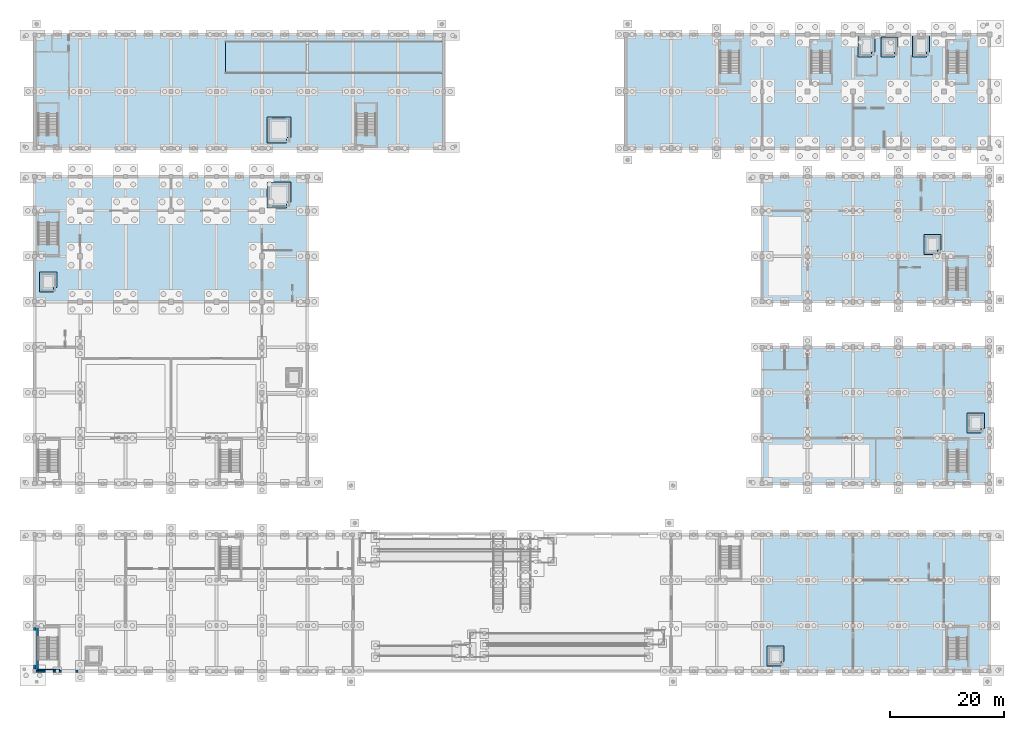
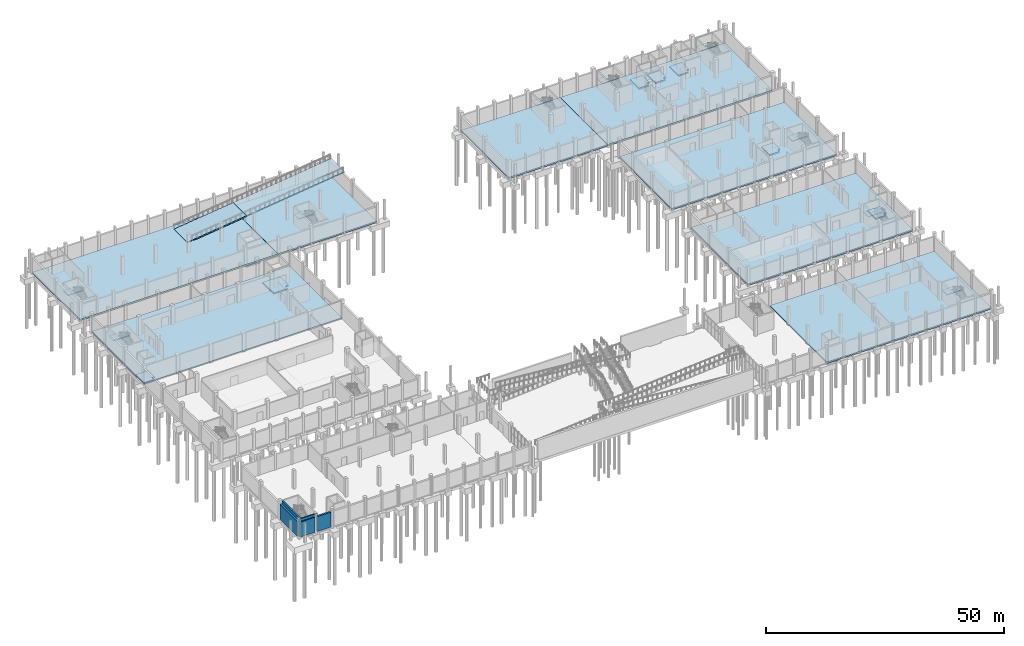
# One storey, part 24 of 52: 28 slabs, 5 walls, 9 elements without a shape of their own.
"""IFC4 building model written with IfcOpenShell, lengths in metres."""

from ifc_helpers import new_model, si_unit, direction, frame, frame_2d, origin, place, context, subcontext, project, spatial, polyline, rectangle, outline, extrude, material, layer, layer_set, type_object, element, aggregate, save


model = new_model("IFC4")

# Units and contexts
model_context = context("Model", 3, precision=1e-05, world=origin(), true_north=direction((0.0, 1.0)))
body_context = subcontext(model_context, "Body", "Model", "MODEL_VIEW")
ifc_project = project(units=[si_unit("LENGTHUNIT", "METRE"), si_unit("AREAUNIT", "SQUARE_METRE"), si_unit("VOLUMEUNIT", "CUBIC_METRE"), si_unit("PLANEANGLEUNIT", "RADIAN"), si_unit("MASSUNIT", "GRAM", prefix="KILO")], contexts=[model_context])

# Site, building, storey
site_placement = place(None, origin())
site = spatial("IfcSite", under=ifc_project, at=site_placement, CompositionType="ELEMENT")
building_placement = place(site_placement, origin())
building = spatial("IfcBuilding", under=site, at=building_placement, Name="Luwemba Playhouse", CompositionType="ELEMENT")
storey_placement = place(building_placement, frame((0.0, 0.0, -4.800048828125)))
storey = spatial("IfcBuildingStorey", under=building, at=storey_placement, Name="B1", CompositionType="ELEMENT", Elevation=-4.800048828125)

# Slabs
ifc_material_1 = material(Name="Concrete C32/40", Category="concrete")
ifc_layer_1 = layer(ifc_material_1, 0.3798828125)
ifc_layer_set_1 = layer_set([ifc_layer_1], Name="Concrete C32/40")
slab_type_1 = type_object("IfcSlabType", Name="SLB-BASE-380", PredefinedType="BASESLAB", material=ifc_layer_set_1)
slab_1_placement = place(storey_placement, frame((0.0, 0.0, -0.3798828125)))
element("IfcSlab", 1, at=slab_1_placement, inside=storey, type_object=slab_type_1, Name="B1 V2 structural floor slab", PredefinedType="BASESLAB", context=body_context, shape_type="SweptSolid", body=[
    extrude(outline(polyline([(4.0, 90.0), (52.0, 90.0), (52.0, 68.0), (4.0, 68.0), (4.0, 90.0)])), origin(), (0.0, 0.0, 1.0), 0.3798828125),
])
slab_2_placement = place(storey_placement, frame((0.0, 0.0, -0.3798828125)))
element("IfcSlab", 2, at=slab_2_placement, inside=storey, type_object=slab_type_1, Name="B1 V3 structural floor slab", PredefinedType="BASESLAB", context=body_context, shape_type="SweptSolid", body=[
    extrude(outline(polyline([(132.0, 60.0), (172.0, 60.0), (172.0, 36.0), (132.0, 36.0), (132.0, 60.0)])), origin(), (0.0, 0.0, 1.0), 0.3798828125),
])
slab_3_placement = place(storey_placement, frame((0.0, 0.0, -0.3798828125)))
element("IfcSlab", 3, at=slab_3_placement, inside=storey, type_object=slab_type_1, Name="B1 V4 structural floor slab", PredefinedType="BASESLAB", context=body_context, shape_type="SweptSolid", body=[
    extrude(outline(polyline([(132.0, 90.0), (172.0, 90.0), (172.0, 68.0), (132.0, 68.0), (132.0, 90.0)])), origin(), (0.0, 0.0, 1.0), 0.3798828125),
])
slab_4_placement = place(storey_placement, frame((0.0, 0.0, -0.3798828125)))
element("IfcSlab", 4, at=slab_4_placement, inside=storey, type_object=slab_type_1, Name="B1 V5E structural floor slab", PredefinedType="BASESLAB", context=body_context, shape_type="SweptSolid", body=[
    extrude(outline(polyline([(172.0, 27.0), (172.0, 3.0), (132.030029296875, 3.0), (132.030029296875, 27.0), (172.0, 27.0)])), origin(), (0.0, 0.0, 1.0), 0.3798828125),
])
slab_5_placement = place(storey_placement, frame((0.0, 0.0, -0.3798828125)))
element("IfcSlab", 5, at=slab_5_placement, inside=storey, type_object=slab_type_1, Name="B1 V6W structural floor slab", PredefinedType="BASESLAB", context=body_context, shape_type="SweptSolid", body=[
    extrude(outline(polyline([(51.969970703125, 115.0), (51.969970703125, 95.0), (4.0, 95.0), (4.0, 115.0), (51.969970703125, 115.0)]), holes=[polyline([(40.02001953125, 113.800048828125), (37.60009765625, 113.800048828125), (37.60009765625, 108.199951171875), (40.02001953125, 108.199951171875), (40.02001953125, 113.800048828125)])]), origin(), (0.0, 0.0, 1.0), 0.3798828125),
])
slab_6_placement = place(storey_placement, frame((0.0, 0.0, -0.3798828125)))
element("IfcSlab", 6, at=slab_6_placement, inside=storey, type_object=slab_type_1, Name="B1 V6W structural floor slab-MJ", PredefinedType="BASESLAB", context=body_context, shape_type="SweptSolid", body=[
    extrude(outline(polyline([(76.0, 115.0), (76.0, 95.0), (52.030029296875, 95.0), (52.030029296875, 115.0), (76.0, 115.0)])), origin(), (0.0, 0.0, 1.0), 0.3798828125),
])
slab_7_placement = place(storey_placement, frame((0.0, 0.0, -0.3798828125)))
element("IfcSlab", 7, at=slab_7_placement, inside=storey, type_object=slab_type_1, Name="B1 V6E structural floor slab-MJ", PredefinedType="BASESLAB", context=body_context, shape_type="SweptSolid", body=[
    extrude(outline(polyline([(108.0, 95.0), (108.0, 115.0), (131.969970703125, 115.0), (131.969970703125, 95.0), (108.0, 95.0)])), origin(), (0.0, 0.0, 1.0), 0.3798828125),
])
slab_8_placement = place(storey_placement, frame((0.0, 0.0, -0.3798828125)))
element("IfcSlab", 8, at=slab_8_placement, inside=storey, type_object=slab_type_1, Name="B1 V6E structural floor slab", PredefinedType="BASESLAB", context=body_context, shape_type="SweptSolid", body=[
    extrude(outline(polyline([(172.0, 115.0), (172.0, 95.0), (132.030029296875, 95.0), (132.030029296875, 115.0), (172.0, 115.0)])), origin(), (0.0, 0.0, 1.0), 0.3798828125),
])
slab_9_placement = place(storey_placement, frame((0.0, 0.0, -1.579833984375)))
element("IfcSlab", 9, at=slab_9_placement, inside=storey, type_object=slab_type_1, Name="Lift LF-FF1 pit slab", PredefinedType="BASESLAB", context=body_context, shape_type="SweptSolid", body=[
    extrude(outline(polyline([(148.89990234375, 111.10009765625), (151.300048828125, 111.10009765625), (151.300048828125, 111.93603515625), (151.89990234375, 111.93603515625), (151.89990234375, 114.89990234375), (148.89990234375, 114.89990234375), (148.89990234375, 111.10009765625)])), origin(), (0.0, 0.0, 1.0), 0.3798828125),
])
slab_10_placement = place(storey_placement, frame((0.0, 0.0, -1.579833984375)))
element("IfcSlab", 10, at=slab_10_placement, inside=storey, type_object=slab_type_1, Name="Lift LF-FF2 pit slab", PredefinedType="BASESLAB", context=body_context, shape_type="SweptSolid", body=[
    extrude(outline(polyline([(158.5, 111.10009765625), (160.89990234375, 111.10009765625), (160.89990234375, 111.93603515625), (161.5, 111.93603515625), (161.5, 114.89990234375), (158.5, 114.89990234375), (158.5, 111.10009765625)])), origin(), (0.0, 0.0, 1.0), 0.3798828125),
])
slab_11_placement = place(storey_placement, frame((0.0, 0.0, -1.579833984375)))
element("IfcSlab", 11, at=slab_11_placement, inside=storey, type_object=slab_type_1, Name="Lift LF-P7 pit slab", PredefinedType="BASESLAB", context=body_context, shape_type="SweptSolid", body=[
    extrude(outline(polyline([(160.5, 76.300048828125), (162.89990234375, 76.300048828125), (162.89990234375, 77.070068359375), (163.5, 77.070068359375), (163.5, 79.800048828125), (160.5, 79.800048828125), (160.5, 76.300048828125)])), origin(), (0.0, 0.0, 1.0), 0.3798828125),
])
slab_12_placement = place(storey_placement, frame((0.0, 0.0, -1.579833984375)))
element("IfcSlab", 12, at=slab_12_placement, inside=storey, type_object=slab_type_1, Name="Lift LF-P2 pit slab", PredefinedType="BASESLAB", context=body_context, shape_type="SweptSolid", body=[
    extrude(outline(polyline([(4.89990234375, 69.699951171875), (7.300048828125, 69.699951171875), (7.300048828125, 70.469970703125), (7.89990234375, 70.469970703125), (7.89990234375, 73.199951171875), (4.89990234375, 73.199951171875), (4.89990234375, 69.699951171875)])), origin(), (0.0, 0.0, 1.0), 0.3798828125),
])
slab_13_placement = place(storey_placement, frame((0.0, 0.0, -1.579833984375)))
element("IfcSlab", 13, at=slab_13_placement, inside=storey, type_object=slab_type_1, Name="Lift LF-P3 pit slab", PredefinedType="BASESLAB", context=body_context, shape_type="SweptSolid", body=[
    extrude(outline(polyline([(168.10009765625, 44.89990234375), (170.5, 44.89990234375), (170.5, 45.669921875), (171.10009765625, 45.669921875), (171.10009765625, 48.39990234375), (168.10009765625, 48.39990234375), (168.10009765625, 44.89990234375)])), origin(), (0.0, 0.0, 1.0), 0.3798828125),
])
slab_14_placement = place(storey_placement, frame((0.0, 0.0, -1.579833984375)))
element("IfcSlab", 14, at=slab_14_placement, inside=storey, type_object=slab_type_1, Name="Lift LF-P5 pit slab", PredefinedType="BASESLAB", context=body_context, shape_type="SweptSolid", body=[
    extrude(outline(polyline([(132.89990234375, 3.89990234375), (135.300048828125, 3.89990234375), (135.300048828125, 4.669921875), (135.89990234375, 4.669921875), (135.89990234375, 7.39990234375), (132.89990234375, 7.39990234375), (132.89990234375, 3.89990234375)])), origin(), (0.0, 0.0, 1.0), 0.3798828125),
])
slab_15_placement = place(storey_placement, frame((0.0, 0.0, -1.579833984375)))
element("IfcSlab", 15, at=slab_15_placement, inside=storey, type_object=slab_type_1, Name="Lift LF-P6 pit slab", PredefinedType="BASESLAB", context=body_context, shape_type="SweptSolid", body=[
    extrude(outline(polyline([(152.89990234375, 111.10009765625), (155.300048828125, 111.10009765625), (155.300048828125, 111.8701171875), (155.89990234375, 111.8701171875), (155.89990234375, 114.60009765625), (152.89990234375, 114.60009765625), (152.89990234375, 111.10009765625)])), origin(), (0.0, 0.0, 1.0), 0.3798828125),
])
slab_16_placement = place(storey_placement, frame((0.0, 0.0, -1.579833984375)))
element("IfcSlab", 16, at=slab_16_placement, inside=storey, type_object=slab_type_1, Name="Lift LF-G1 pit slab", PredefinedType="BASESLAB", context=body_context, shape_type="SweptSolid", body=[
    extrude(outline(polyline([(44.89990234375, 84.5), (48.343994140625, 84.5), (48.343994140625, 85.511962890625), (49.10009765625, 85.511962890625), (49.10009765625, 89.10009765625), (44.89990234375, 89.10009765625), (44.89990234375, 84.5)])), origin(), (0.0, 0.0, 1.0), 0.3798828125),
])
slab_17_placement = place(storey_placement, frame((0.0, 0.0, -1.579833984375)))
element("IfcSlab", 17, at=slab_17_placement, inside=storey, type_object=slab_type_1, Name="Lift LF-G2 pit slab", PredefinedType="BASESLAB", context=body_context, shape_type="SweptSolid", body=[
    extrude(outline(polyline([(44.89990234375, 95.89990234375), (48.343994140625, 95.89990234375), (48.343994140625, 96.912109375), (49.10009765625, 96.912109375), (49.10009765625, 100.5), (44.89990234375, 100.5), (44.89990234375, 95.89990234375)])), origin(), (0.0, 0.0, 1.0), 0.3798828125),
])

# Stair, slab
ifc_material_2 = material(Name="Concrete C40/50", Category="concrete")
stair_type_1 = type_object("IfcStairType", Name="STR-DL-03", PredefinedType="HALF_TURN_STAIR", material=ifc_material_2)
stair_1_placement = place(storey_placement, origin())
stair_1 = element("IfcStair", 18, at=stair_1_placement, inside=storey, type_object=stair_type_1, Name="B1 Stage House West Escape Stair", PredefinedType="HALF_TURN_STAIR")
ifc_layer_2 = layer(ifc_material_2, 0.215087890625)
ifc_layer_set_2 = layer_set([ifc_layer_2], Name="Concrete C40/50")
slab_type_2 = type_object("IfcSlabType", Name="SLB-LND-215", PredefinedType="LANDING", material=ifc_layer_set_2)
slab_18_placement = place(storey_placement, frame((0.0, 0.0, 2.199951171875)))
slab_18 = element("IfcSlab", 19, at=slab_18_placement, type_object=slab_type_2, Name="ST-03 landing 1", PredefinedType="LANDING", context=body_context, shape_type="SweptSolid", body=[
    extrude(outline(polyline([(8.2900390625, 81.820068359375), (4.510009765625, 81.820068359375), (4.510009765625, 83.800048828125), (8.2900390625, 83.800048828125), (8.2900390625, 81.820068359375)])), origin(), (0.0, 0.0, 1.0), 0.2001953125),
])
aggregate(stair_1, [slab_18])

stair_2_placement = place(storey_placement, origin())
stair_2 = element("IfcStair", 20, at=stair_2_placement, inside=storey, type_object=stair_type_1, Name="B1 Metro Concourse South-East Escape Stair", PredefinedType="HALF_TURN_STAIR")
slab_19_placement = place(storey_placement, frame((0.0, 0.0, 2.199951171875)))
slab_19 = element("IfcSlab", 21, at=slab_19_placement, type_object=slab_type_2, Name="ST-05 landing 1", PredefinedType="LANDING", context=body_context, shape_type="SweptSolid", body=[
    extrude(outline(polyline([(168.2900390625, 8.820068359375), (164.510009765625, 8.820068359375), (164.510009765625, 10.800048828125), (168.2900390625, 10.800048828125), (168.2900390625, 8.820068359375)])), origin(), (0.0, 0.0, 1.0), 0.2001953125),
])
aggregate(stair_2, [slab_19])

stair_3_placement = place(storey_placement, origin())
stair_3 = element("IfcStair", 22, at=stair_3_placement, inside=storey, type_object=stair_type_1, Name="B1 Studio Theatre South-East Escape Stair", PredefinedType="HALF_TURN_STAIR")
slab_20_placement = place(storey_placement, frame((0.0, 0.0, 2.199951171875)))
slab_20 = element("IfcSlab", 23, at=slab_20_placement, type_object=slab_type_2, Name="ST-06 landing 1", PredefinedType="LANDING", context=body_context, shape_type="SweptSolid", body=[
    extrude(outline(polyline([(168.2900390625, 41.820068359375), (164.510009765625, 41.820068359375), (164.510009765625, 43.800048828125), (168.2900390625, 43.800048828125), (168.2900390625, 41.820068359375)])), origin(), (0.0, 0.0, 1.0), 0.2001953125),
])
aggregate(stair_3, [slab_20])

stair_type_2 = type_object("IfcStairType", Name="STR-DL-05", PredefinedType="HALF_TURN_STAIR", material=ifc_material_2)
stair_4_placement = place(storey_placement, origin())
stair_4 = element("IfcStair", 24, at=stair_4_placement, inside=storey, type_object=stair_type_2, Name="B1 Black-Box Firefighting Escape Stair", PredefinedType="HALF_TURN_STAIR")
slab_21_placement = place(storey_placement, frame((0.0, 0.0, 2.199951171875)))
slab_21 = element("IfcSlab", 25, at=slab_21_placement, type_object=slab_type_2, Name="ST-07 landing 1", PredefinedType="LANDING", context=body_context, shape_type="SweptSolid", body=[
    extrude(outline(polyline([(168.18994140625, 73.820068359375), (164.510009765625, 73.820068359375), (164.510009765625, 75.800048828125), (168.18994140625, 75.800048828125), (168.18994140625, 73.820068359375)])), origin(), (0.0, 0.0, 1.0), 0.2001953125),
])
aggregate(stair_4, [slab_21])

stair_5_placement = place(storey_placement, origin())
stair_5 = element("IfcStair", 26, at=stair_5_placement, inside=storey, type_object=stair_type_2, Name="B1 Scene Dock West Escape Stair", PredefinedType="HALF_TURN_STAIR")
slab_22_placement = place(storey_placement, frame((0.0, 0.0, 2.199951171875)))
slab_22 = element("IfcSlab", 27, at=slab_22_placement, type_object=slab_type_2, Name="ST-08 landing 1", PredefinedType="LANDING", context=body_context, shape_type="SweptSolid", body=[
    extrude(outline(polyline([(8.18994140625, 100.97998046875), (4.510009765625, 100.97998046875), (4.510009765625, 102.9599609375), (8.18994140625, 102.9599609375), (8.18994140625, 100.97998046875)])), origin(), (0.0, 0.0, 1.0), 0.2001953125),
])
aggregate(stair_5, [slab_22])

stair_6_placement = place(storey_placement, origin())
stair_6 = element("IfcStair", 28, at=stair_6_placement, inside=storey, type_object=stair_type_1, Name="B1 Conservatory Firefighting Escape Stair", PredefinedType="HALF_TURN_STAIR")
slab_23_placement = place(storey_placement, frame((0.0, 0.0, 2.199951171875)))
slab_23 = element("IfcSlab", 29, at=slab_23_placement, type_object=slab_type_2, Name="ST-09 landing 1", PredefinedType="LANDING", context=body_context, shape_type="SweptSolid", body=[
    extrude(outline(polyline([(144.2900390625, 111.97998046875), (140.510009765625, 111.97998046875), (140.510009765625, 113.9599609375), (144.2900390625, 113.9599609375), (144.2900390625, 111.97998046875)])), origin(), (0.0, 0.0, 1.0), 0.2001953125),
])
aggregate(stair_6, [slab_23])

stair_7_placement = place(storey_placement, origin())
stair_7 = element("IfcStair", 30, at=stair_7_placement, inside=storey, type_object=stair_type_1, Name="B1 Conservatory East Escape Stair", PredefinedType="HALF_TURN_STAIR")
slab_24_placement = place(storey_placement, frame((0.0, 0.0, 2.199951171875)))
slab_24 = element("IfcSlab", 31, at=slab_24_placement, type_object=slab_type_2, Name="ST-10 landing 1", PredefinedType="LANDING", context=body_context, shape_type="SweptSolid", body=[
    extrude(outline(polyline([(168.2900390625, 111.97998046875), (164.510009765625, 111.97998046875), (164.510009765625, 113.9599609375), (168.2900390625, 113.9599609375), (168.2900390625, 111.97998046875)])), origin(), (0.0, 0.0, 1.0), 0.2001953125),
])
aggregate(stair_7, [slab_24])

stair_8_placement = place(storey_placement, origin())
stair_8 = element("IfcStair", 32, at=stair_8_placement, inside=storey, type_object=stair_type_2, Name="B1 Workshops East Escape Stair", PredefinedType="HALF_TURN_STAIR")
slab_25_placement = place(storey_placement, frame((0.0, 0.0, 2.199951171875)))
slab_25 = element("IfcSlab", 33, at=slab_25_placement, type_object=slab_type_2, Name="ST-15 landing 1", PredefinedType="LANDING", context=body_context, shape_type="SweptSolid", body=[
    extrude(outline(polyline([(64.18994140625, 100.97998046875), (60.510009765625, 100.97998046875), (60.510009765625, 102.9599609375), (64.18994140625, 102.9599609375), (64.18994140625, 100.97998046875)])), origin(), (0.0, 0.0, 1.0), 0.2001953125),
])
aggregate(stair_8, [slab_25])

stair_9_placement = place(storey_placement, origin())
stair_9 = element("IfcStair", 34, at=stair_9_placement, inside=storey, type_object=stair_type_2, Name="B1 Conservatory West Escape Stair", PredefinedType="HALF_TURN_STAIR")
slab_26_placement = place(storey_placement, frame((0.0, 0.0, 2.199951171875)))
slab_26 = element("IfcSlab", 35, at=slab_26_placement, type_object=slab_type_2, Name="ST-16 landing 1", PredefinedType="LANDING", context=body_context, shape_type="SweptSolid", body=[
    extrude(outline(polyline([(128.18994140625, 111.97998046875), (124.510009765625, 111.97998046875), (124.510009765625, 113.9599609375), (128.18994140625, 113.9599609375), (128.18994140625, 111.97998046875)])), origin(), (0.0, 0.0, 1.0), 0.2001953125),
])
aggregate(stair_9, [slab_26])

# Slabs
ifc_layer_3 = layer(ifc_material_1, 0.300048828125)
ifc_layer_set_3 = layer_set([ifc_layer_3], Name="Concrete C32/40")
slab_type_3 = type_object("IfcSlabType", Name="SLB-RAMP-300", PredefinedType="FLOOR", material=ifc_layer_set_3)
slab_27_placement = place(storey_placement, frame((37.60009765625, 108.199951171875, 0.0), z_axis=(-0.124294084304, 0.0, 0.992245423576), x_axis=(0.992245423576, 0.0, 0.124294084304)))
element("IfcSlab", 36, at=slab_27_placement, inside=storey, type_object=slab_type_3, Name="B1 car park vehicle ramp R1 west structural slab", PredefinedType="FLOOR", context=body_context, shape_type="SweptSolid", body=[
    extrude(outline(polyline([(0.0, 0.0), (14.4821761889206, 0.0), (14.4821761889206, 5.60009765625), (0.0, 5.60009765625), (0.0, 0.0)])), origin(), (0.0, 0.0, -1.0), 0.300048828125),
])
slab_28_placement = place(storey_placement, frame((52.030029296875, 108.199951171875, 1.800048828125), z_axis=(-0.125216072358, 0.0, 0.992129495189), x_axis=(0.992129495189, 0.0, 0.125216072358)))
element("IfcSlab", 37, at=slab_28_placement, inside=storey, type_object=slab_type_3, Name="B1 car park vehicle ramp R1 east structural slab", PredefinedType="FLOOR", context=body_context, shape_type="SweptSolid", body=[
    extrude(outline(polyline([(0.0, 0.0), (23.958585695236824, 0.0), (23.958585695236824, 5.60009765625), (0.0, 5.60009765625), (0.0, 0.0)])), origin(), (0.0, 0.0, -1.0), 0.300048828125),
])

# Walls
ifc_layer_4 = layer(ifc_material_2, 0.300048828125)
ifc_layer_set_4 = layer_set([ifc_layer_4], Name="Concrete C40/50")
wall_type_1 = type_object("IfcWallType", Name="WAL-CORE-300", PredefinedType="SHEAR", material=ifc_layer_set_4)
wall_1_placement = place(storey_placement, frame((4.35009765625, 3.18994140625, 3.85009765625), z_axis=(0.0, 0.0, 1.0), x_axis=(1.0, 0.0, 0.0)))
element("IfcWall", 38, at=wall_1_placement, inside=storey, type_object=wall_type_1, Name="B1 ST-04 stair core wall S", PredefinedType="SHEAR", context=body_context, shape_type="SweptSolid", body=[
    extrude(rectangle(XDim=4.099853515625, YDim=0.300048828125, at=frame_2d((2.0498046875, 0.0))), origin(), (0.0, 0.0, 1.0), 0.64990234375),
])
wall_2_placement = place(storey_placement, frame((4.5, 3.340087890625, -0.3798828125), z_axis=(0.0, 0.0, 1.0), x_axis=(0.0, 1.0, 0.0)))
element("IfcWall", 39, at=wall_2_placement, inside=storey, type_object=wall_type_1, Name="B1 ST-04 stair core wall W", PredefinedType="SHEAR", context=body_context, shape_type="SweptSolid", body=[
    extrude(rectangle(XDim=7.31982421875, YDim=0.300048828125, at=frame_2d((3.659912109375, 0.0))), origin(), (0.0, 0.0, 1.0), 4.8798828125),
])
ifc_layer_5 = layer(ifc_material_1, 0.419921875)
ifc_layer_set_5 = layer_set([ifc_layer_5], Name="Concrete C32/40")
wall_type_2 = type_object("IfcWallType", Name="WAL-RET-420", PredefinedType="USERDEFINED", material=ifc_layer_set_5)
wall_3_placement = place(storey_placement, frame((4.0, 3.35009765625, 0.0), z_axis=(0.0, 0.0, 1.0), x_axis=(0.0, 1.0, 0.0)))
element("IfcWall", 40, at=wall_3_placement, inside=storey, type_object=wall_type_2, Name="Basement retaining wall 089", ObjectType="RETAINING WALL", PredefinedType="USERDEFINED", context=body_context, shape_type="SweptSolid", body=[
    extrude(rectangle(XDim=7.2998046875, YDim=0.419921875, at=frame_2d((3.64990234375, 0.0))), origin(), (0.0, 0.0, 1.0), 3.85009765625),
])
wall_4_placement = place(storey_placement, frame((11.625, 3.0, 0.0), z_axis=(0.0, 0.0, 1.0), x_axis=(-1.0, 0.0, 0.0)))
element("IfcWall", 41, at=wall_4_placement, inside=storey, type_object=wall_type_2, Name="Basement retaining wall 118", ObjectType="RETAINING WALL", PredefinedType="USERDEFINED", context=body_context, shape_type="SweptSolid", body=[
    extrude(rectangle(XDim=3.375, YDim=0.419921875, at=frame_2d((1.6875, 0.0))), origin(), (0.0, 0.0, 1.0), 3.85009765625),
])
wall_5_placement = place(storey_placement, frame((7.75, 3.0, 0.0), z_axis=(0.0, 0.0, 1.0), x_axis=(-1.0, 0.0, 0.0)))
element("IfcWall", 42, at=wall_5_placement, inside=storey, type_object=wall_type_2, Name="Basement retaining wall 119", ObjectType="RETAINING WALL", PredefinedType="USERDEFINED", context=body_context, shape_type="SweptSolid", body=[
    extrude(rectangle(XDim=3.5, YDim=0.419921875, at=frame_2d((1.75, 0.0))), origin(), (0.0, 0.0, 1.0), 3.85009765625),
])

save(model, "model.ifc")
